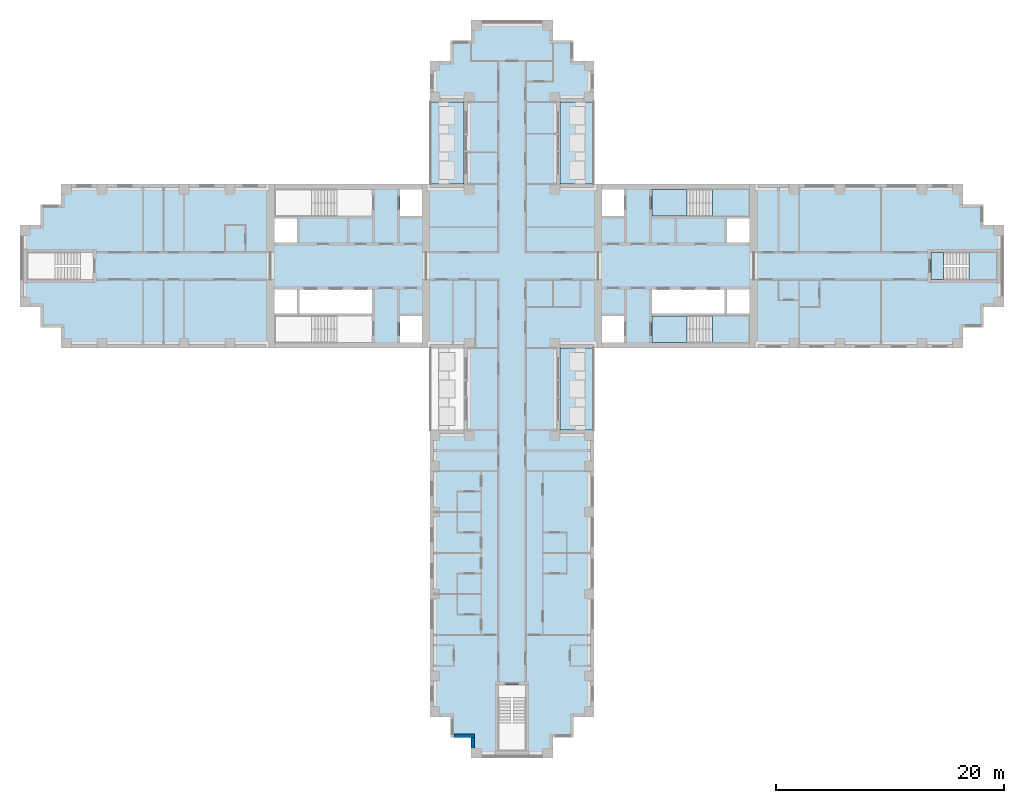
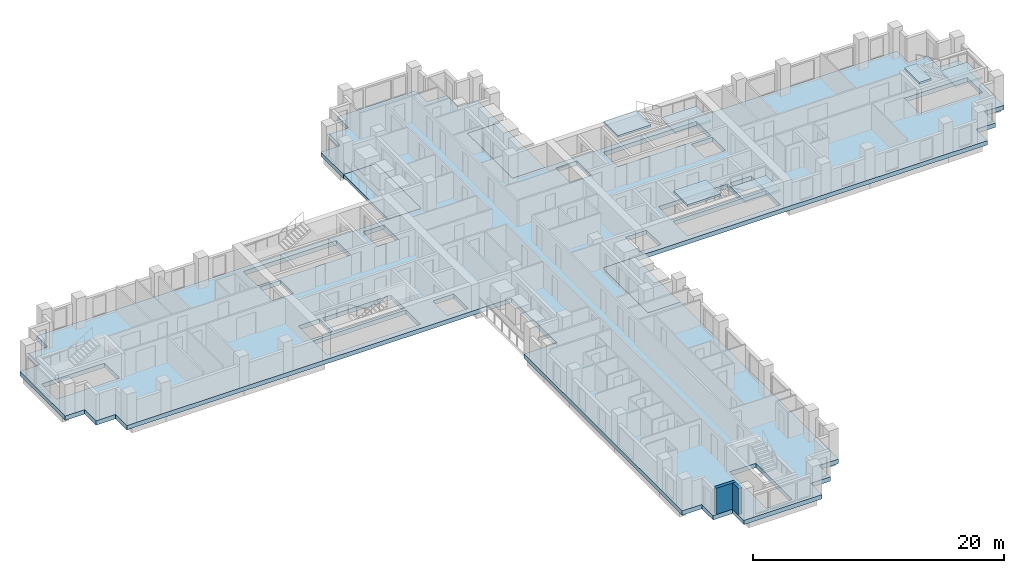
# One storey, part 2 of 13: 10 slabs, 2 walls, 3 elements without a shape of their own.
"""IFC4 building model written with IfcOpenShell, lengths in metres."""

from ifc_helpers import new_model, si_unit, direction, frame, frame_2d, origin, place, context, subcontext, project, spatial, polyline, rectangle, outline, extrude, material, layer, layer_set, type_object, element, aggregate, save


model = new_model("IFC4")

# Units and contexts
model_context = context("Model", 3, precision=1e-05, world=origin(), true_north=direction((0.0, 1.0)))
body_context = subcontext(model_context, "Body", "Model", "MODEL_VIEW")
ifc_project = project(units=[si_unit("LENGTHUNIT", "METRE"), si_unit("AREAUNIT", "SQUARE_METRE"), si_unit("VOLUMEUNIT", "CUBIC_METRE"), si_unit("PLANEANGLEUNIT", "RADIAN"), si_unit("MASSUNIT", "GRAM", prefix="KILO")], contexts=[model_context])

# Site, building, storey
site_placement = place(None, origin())
site = spatial("IfcSite", under=ifc_project, at=site_placement, CompositionType="ELEMENT")
building_placement = place(site_placement, origin())
building = spatial("IfcBuilding", under=site, at=building_placement, Name="Fustian Cross Tower", CompositionType="ELEMENT")
storey_placement = place(building_placement, frame((0.0, 0.0, 108.89990234375)))
storey = spatial("IfcBuildingStorey", under=building, at=storey_placement, Name="L34", CompositionType="ELEMENT", Elevation=108.89990234375)

# Slabs
ifc_material_1 = material(Name="Concrete C40/50", Category="concrete")
ifc_layer_1 = layer(ifc_material_1, 0.300048828125)
ifc_layer_set_1 = layer_set([ifc_layer_1], Name="Concrete C40/50")
slab_type_1 = type_object("IfcSlabType", Name="BS1 BALCONY SLAB 300", PredefinedType="FLOOR", material=ifc_layer_set_1)
slab_1_placement = place(storey_placement, frame((0.0, 0.0, -0.2998046875)))
element("IfcSlab", 1, at=slab_1_placement, inside=storey, type_object=slab_type_1, Name="Balcony slab", PredefinedType="FLOOR", context=body_context, shape_type="SweptSolid", body=[
    extrude(outline(polyline([(4.199951171875, 7.199951171875), (7.199951171875, 7.199951171875), (7.199951171875, 14.39990234375), (4.199951171875, 14.39990234375), (4.199951171875, 7.199951171875)])), origin(), (0.0, 0.0, 1.0), 0.2998046875),
])
slab_2_placement = place(storey_placement, frame((0.0, 0.0, -0.2998046875)))
element("IfcSlab", 2, at=slab_2_placement, inside=storey, type_object=slab_type_1, Name="Balcony slab", PredefinedType="FLOOR", context=body_context, shape_type="SweptSolid", body=[
    extrude(outline(polyline([(-7.199951171875, 7.199951171875), (-4.199951171875, 7.199951171875), (-4.199951171875, 14.39990234375), (-7.199951171875, 14.39990234375), (-7.199951171875, 7.199951171875)])), origin(), (0.0, 0.0, 1.0), 0.2998046875),
])
slab_3_placement = place(storey_placement, frame((0.0, 0.0, -0.2998046875)))
element("IfcSlab", 3, at=slab_3_placement, inside=storey, type_object=slab_type_1, Name="Balcony slab", PredefinedType="FLOOR", context=body_context, shape_type="SweptSolid", body=[
    extrude(outline(polyline([(4.199951171875, -14.39990234375), (7.199951171875, -14.39990234375), (7.199951171875, -7.199951171875), (4.199951171875, -7.199951171875), (4.199951171875, -14.39990234375)])), origin(), (0.0, 0.0, 1.0), 0.2998046875),
])
ifc_material_2 = material(Name="Concrete C40/50", Category="concrete")
ifc_layer_2 = layer(ifc_material_2, 0.425048828125)
ifc_layer_set_2 = layer_set([ifc_layer_2], Name="Concrete C40/50")
slab_type_2 = type_object("IfcSlabType", Name="FLAT SLAB 425", PredefinedType="FLOOR", material=ifc_layer_set_2)
slab_4_placement = place(storey_placement, frame((0.0, 0.0, -0.4248046875)))
element("IfcSlab", 4, at=slab_4_placement, inside=storey, type_object=slab_type_2, Name="FLOOR SLAB L34-1", PredefinedType="FLOOR", context=body_context, shape_type="SweptSolid", body=[
    extrude(outline(polyline([(-4.199951171875, -7.199951171875), (-39.60009765625, -7.199951171875), (-39.60009765625, -5.39990234375), (-41.39990234375, -5.39990234375), (-41.39990234375, -3.60009765625), (-43.199951171875, -3.60009765625), (-43.199951171875, 3.60009765625), (-41.39990234375, 3.60009765625), (-41.39990234375, 5.39990234375), (-39.60009765625, 5.39990234375), (-39.60009765625, 7.199951171875), (-4.199951171875, 7.199951171875), (-4.199951171875, 14.39990234375), (-7.199951171875, 14.39990234375), (-7.199951171875, 18.0), (-5.39990234375, 18.0), (-5.39990234375, 19.800048828125), (-3.60009765625, 19.800048828125), (-3.60009765625, 21.60009765625), (3.60009765625, 21.60009765625), (3.60009765625, 19.800048828125), (5.39990234375, 19.800048828125), (5.39990234375, 18.0), (7.199951171875, 18.0), (7.199951171875, 14.39990234375), (4.199951171875, 14.39990234375), (4.199951171875, 7.199951171875), (39.60009765625, 7.199951171875), (39.60009765625, 5.39990234375), (41.39990234375, 5.39990234375), (41.39990234375, 3.60009765625), (43.199951171875, 3.60009765625), (43.199951171875, -3.60009765625), (41.39990234375, -3.60009765625), (41.39990234375, -5.39990234375), (39.60009765625, -5.39990234375), (39.60009765625, -7.199951171875), (4.199951171875, -7.199951171875), (4.199951171875, -14.39990234375), (7.199951171875, -14.39990234375), (7.199951171875, -39.60009765625), (5.39990234375, -39.60009765625), (5.39990234375, -41.39990234375), (3.60009765625, -41.39990234375), (3.60009765625, -43.199951171875), (-3.60009765625, -43.199951171875), (-3.60009765625, -41.39990234375), (-5.39990234375, -41.39990234375), (-5.39990234375, -39.60009765625), (-7.199951171875, -39.60009765625), (-7.199951171875, -14.39990234375), (-4.199951171875, -14.39990234375), (-4.199951171875, -7.199951171875)]), holes=[polyline([(20.85009765625, -2.050048828125), (18.89990234375, -2.050048828125), (18.89990234375, -4.14990234375), (20.85009765625, -4.14990234375), (20.85009765625, -2.050048828125)]), polyline([(20.85009765625, 2.050048828125), (20.85009765625, 4.14990234375), (18.89990234375, 4.14990234375), (18.89990234375, 2.050048828125), (20.85009765625, 2.050048828125)]), polyline([(7.89990234375, 4.39990234375), (9.85009765625, 4.39990234375), (9.85009765625, 6.699951171875), (7.89990234375, 6.699951171875), (7.89990234375, 4.39990234375)]), polyline([(7.89990234375, -4.39990234375), (7.89990234375, -6.699951171875), (9.85009765625, -6.699951171875), (9.85009765625, -4.39990234375), (7.89990234375, -4.39990234375)]), polyline([(-18.89990234375, -2.050048828125), (-20.85009765625, -2.050048828125), (-20.85009765625, -4.14990234375), (-18.89990234375, -4.14990234375), (-18.89990234375, -2.050048828125)]), polyline([(-18.89990234375, 2.050048828125), (-18.89990234375, 4.14990234375), (-20.85009765625, 4.14990234375), (-20.85009765625, 2.050048828125), (-18.89990234375, 2.050048828125)]), polyline([(-9.85009765625, 4.39990234375), (-7.89990234375, 4.39990234375), (-7.89990234375, 6.699951171875), (-9.85009765625, 6.699951171875), (-9.85009765625, 4.39990234375)]), polyline([(-9.85009765625, -4.39990234375), (-9.85009765625, -6.699951171875), (-7.89990234375, -6.699951171875), (-7.89990234375, -4.39990234375), (-9.85009765625, -4.39990234375)]), polyline([(18.64990234375, -2.050048828125), (12.300048828125, -2.050048828125), (12.300048828125, -4.14990234375), (18.64990234375, -4.14990234375), (18.64990234375, -2.050048828125)]), polyline([(-12.300048828125, -4.14990234375), (-12.300048828125, -2.050048828125), (-18.64990234375, -2.050048828125), (-18.64990234375, -4.14990234375), (-12.300048828125, -4.14990234375)]), polyline([(12.300048828125, 4.39990234375), (20.85009765625, 4.39990234375), (20.85009765625, 6.699951171875), (12.300048828125, 6.699951171875), (12.300048828125, 4.39990234375)]), polyline([(12.300048828125, -4.39990234375), (12.300048828125, -6.699951171875), (20.85009765625, -6.699951171875), (20.85009765625, -4.39990234375), (12.300048828125, -4.39990234375)]), polyline([(-12.300048828125, 6.699951171875), (-20.85009765625, 6.699951171875), (-20.85009765625, 4.39990234375), (-12.300048828125, 4.39990234375), (-12.300048828125, 6.699951171875)]), polyline([(-12.300048828125, -6.699951171875), (-12.300048828125, -4.39990234375), (-20.85009765625, -4.39990234375), (-20.85009765625, -6.699951171875), (-12.300048828125, -6.699951171875)]), polyline([(-1.199951171875, -42.60009765625), (1.199951171875, -42.60009765625), (1.199951171875, -36.800048828125), (-1.199951171875, -36.800048828125), (-1.199951171875, -42.60009765625)]), polyline([(36.800048828125, 1.199951171875), (36.800048828125, -1.199951171875), (42.60009765625, -1.199951171875), (42.60009765625, 1.199951171875), (36.800048828125, 1.199951171875)]), polyline([(-36.800048828125, 1.199951171875), (-42.60009765625, 1.199951171875), (-42.60009765625, -1.199951171875), (-36.800048828125, -1.199951171875), (-36.800048828125, 1.199951171875)])]), origin(), (0.0, 0.0, 1.0), 0.4248046875),
])

# Stair, slabs
ifc_material_3 = material(Name="Concrete C50/60", Category="concrete")
stair_type_1 = type_object("IfcStairType", Name="STAIR 1150 HALF TURN", PredefinedType="HALF_TURN_STAIR", material=ifc_material_3)
stair_1_placement = place(storey_placement, origin())
stair_1 = element("IfcStair", 5, at=stair_1_placement, inside=storey, type_object=stair_type_1, Name="Stair ST1", PredefinedType="HALF_TURN_STAIR")
ifc_material_4 = material(Name="Concrete C50/60", Category="concrete")
ifc_layer_3 = layer(ifc_material_4, 0.199951171875)
ifc_layer_set_3 = layer_set([ifc_layer_3], Name="Concrete C50/60")
slab_type_3 = type_object("IfcSlabType", Name="STAIR LANDING", PredefinedType="LANDING", material=ifc_layer_set_3)
slab_5_placement = place(storey_placement, frame((0.0, 0.0, 1.300048828125)))
slab_5 = element("IfcSlab", 6, at=slab_5_placement, type_object=slab_type_3, Name="ST1 landing 1", PredefinedType="LANDING", context=body_context, shape_type="SweptSolid", body=[
    extrude(outline(polyline([(17.590087890625, 4.39990234375), (20.85009765625, 4.39990234375), (20.85009765625, 6.699951171875), (17.590087890625, 6.699951171875), (17.590087890625, 4.39990234375)])), origin(), (0.0, 0.0, 1.0), 0.199951171875),
])
slab_6_placement = place(storey_placement, frame((0.0, 0.0, 2.800048828125)))
slab_6 = element("IfcSlab", 7, at=slab_6_placement, type_object=slab_type_3, Name="ST1 landing 2", PredefinedType="LANDING", context=body_context, shape_type="SweptSolid", body=[
    extrude(outline(polyline([(12.300048828125, 4.39990234375), (15.35009765625, 4.39990234375), (15.35009765625, 6.699951171875), (12.300048828125, 6.699951171875), (12.300048828125, 4.39990234375)])), origin(), (0.0, 0.0, 1.0), 0.199951171875),
])
aggregate(stair_1, [slab_5, slab_6])

stair_2_placement = place(storey_placement, origin())
stair_2 = element("IfcStair", 8, at=stair_2_placement, inside=storey, type_object=stair_type_1, Name="Stair ST2", PredefinedType="HALF_TURN_STAIR")
slab_7_placement = place(storey_placement, frame((0.0, 0.0, 1.300048828125)))
slab_7 = element("IfcSlab", 9, at=slab_7_placement, type_object=slab_type_3, Name="ST2 landing 1", PredefinedType="LANDING", context=body_context, shape_type="SweptSolid", body=[
    extrude(outline(polyline([(17.590087890625, -4.39990234375), (20.85009765625, -4.39990234375), (20.85009765625, -6.699951171875), (17.590087890625, -6.699951171875), (17.590087890625, -4.39990234375)])), origin(), (0.0, 0.0, 1.0), 0.199951171875),
])
slab_8_placement = place(storey_placement, frame((0.0, 0.0, 2.800048828125)))
slab_8 = element("IfcSlab", 10, at=slab_8_placement, type_object=slab_type_3, Name="ST2 landing 2", PredefinedType="LANDING", context=body_context, shape_type="SweptSolid", body=[
    extrude(outline(polyline([(12.300048828125, -4.39990234375), (15.35009765625, -4.39990234375), (15.35009765625, -6.699951171875), (12.300048828125, -6.699951171875), (12.300048828125, -4.39990234375)])), origin(), (0.0, 0.0, 1.0), 0.199951171875),
])
aggregate(stair_2, [slab_7, slab_8])

ifc_material_5 = material(Name="Concrete C50/60", Category="concrete")
stair_type_2 = type_object("IfcStairType", Name="STAIR 1100 HALF TURN", PredefinedType="HALF_TURN_STAIR", material=ifc_material_5)
stair_3_placement = place(storey_placement, origin())
stair_3 = element("IfcStair", 11, at=stair_3_placement, inside=storey, type_object=stair_type_2, Name="Stair ST8", PredefinedType="HALF_TURN_STAIR")
slab_9_placement = place(storey_placement, frame((0.0, 0.0, 1.300048828125)))
slab_9 = element("IfcSlab", 12, at=slab_9_placement, type_object=slab_type_3, Name="ST8 landing 1", PredefinedType="LANDING", context=body_context, shape_type="SweptSolid", body=[
    extrude(outline(polyline([(40.139892578125, -1.199951171875), (42.60009765625, -1.199951171875), (42.60009765625, 1.199951171875), (40.139892578125, 1.199951171875), (40.139892578125, -1.199951171875)])), origin(), (0.0, 0.0, 1.0), 0.199951171875),
])
slab_10_placement = place(storey_placement, frame((0.0, 0.0, 2.800048828125)))
slab_10 = element("IfcSlab", 13, at=slab_10_placement, type_object=slab_type_3, Name="ST8 landing 2", PredefinedType="LANDING", context=body_context, shape_type="SweptSolid", body=[
    extrude(outline(polyline([(36.800048828125, -1.199951171875), (37.89990234375, -1.199951171875), (37.89990234375, 1.199951171875), (36.800048828125, 1.199951171875), (36.800048828125, -1.199951171875)])), origin(), (0.0, 0.0, 1.0), 0.199951171875),
])
aggregate(stair_3, [slab_9, slab_10])

# Walls
ifc_material_6 = material(Name="Dark aluminium cladding on insulated backing wall", Category="aluminium")
ifc_layer_4 = layer(ifc_material_6, 0.300048828125)
ifc_layer_set_4 = layer_set([ifc_layer_4], Name="Dark aluminium cladding on insulated backing wall")
wall_type = type_object("IfcWallType", Name="XW1 EXTERNAL WALL 300", PredefinedType="SOLIDWALL", material=ifc_layer_set_4)
wall_1_placement = place(storey_placement, frame((-5.10009765625, -41.25, 0.0), z_axis=(0.0, 0.0, 1.0), x_axis=(1.0, 0.0, 0.0)))
element("IfcWall", 14, at=wall_1_placement, inside=storey, type_object=wall_type, Name="External wall", PredefinedType="SOLIDWALL", context=body_context, shape_type="SweptSolid", body=[
    extrude(rectangle(XDim=1.800048828125, YDim=0.300048828125, at=frame_2d((0.89990234375, 0.0))), origin(), (0.0, 0.0, 1.0), 2.550048828125),
])
wall_2_placement = place(storey_placement, frame((-3.449951171875, -41.39990234375, 0.0), z_axis=(0.0, 0.0, 1.0), x_axis=(0.0, -1.0, 0.0)))
element("IfcWall", 15, at=wall_2_placement, inside=storey, type_object=wall_type, Name="External wall", PredefinedType="SOLIDWALL", context=body_context, shape_type="SweptSolid", body=[
    extrude(rectangle(XDim=0.900146484375, YDim=0.300048828125, at=frame_2d((0.4501953125, 0.0))), origin(), (0.0, 0.0, 1.0), 2.550048828125),
])

save(model, "model.ifc")
